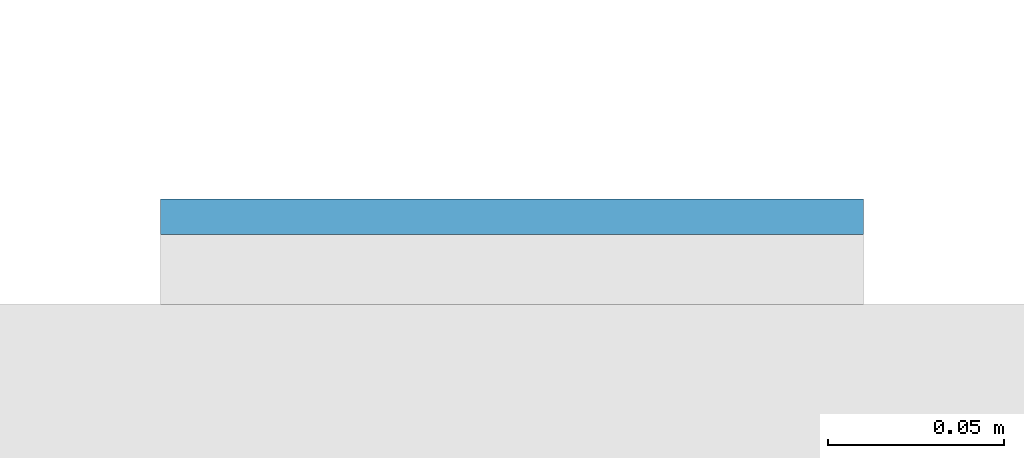
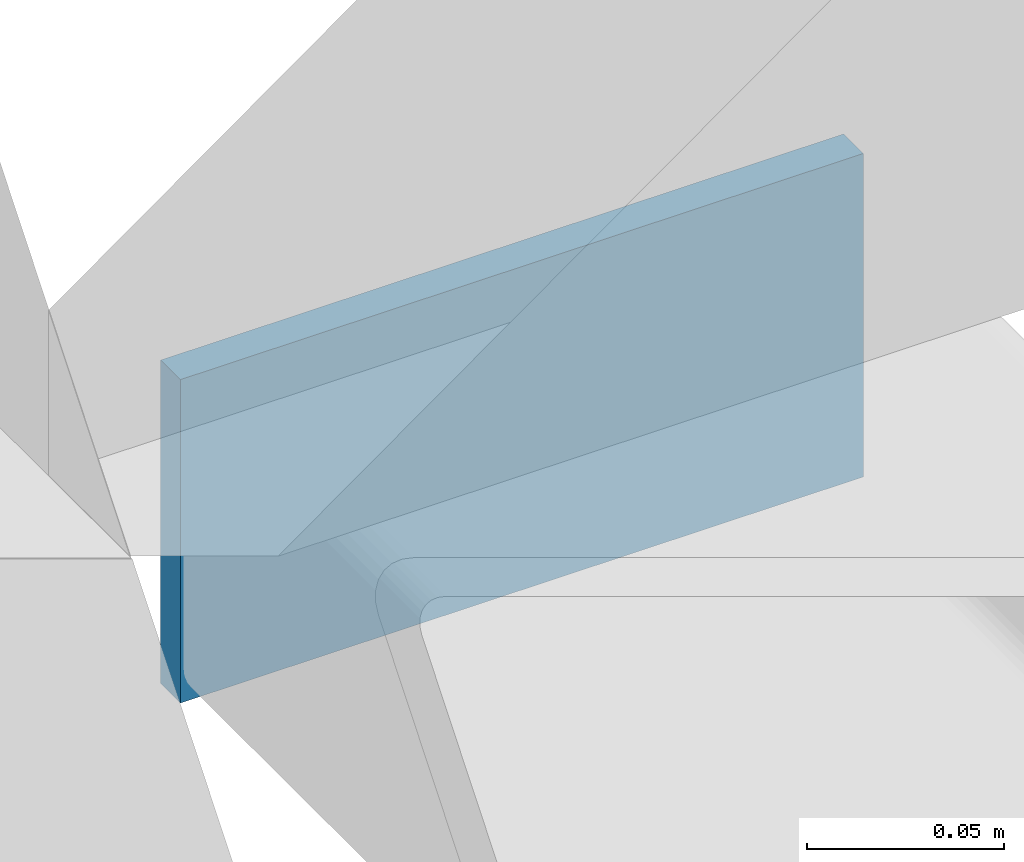
# One storey, part 6 of 10: 1 plate.
"""IFC4 building model written with IfcOpenShell, lengths in metres."""

from ifc_helpers import new_model, si_unit, direction, frame, origin, origin_2d, place, context, subcontext, project, spatial, rectangle, extrude, material, layer, layer_set, type_object, element, save


model = new_model("IFC4")

# Units and contexts
model_context = context("Model", 3, precision=1e-05, world=origin(), true_north=direction((0.0, 1.0)))
body_context = subcontext(model_context, "Body", "Model", "MODEL_VIEW")
ifc_project = project(units=[si_unit("LENGTHUNIT", "METRE"), si_unit("AREAUNIT", "SQUARE_METRE"), si_unit("VOLUMEUNIT", "CUBIC_METRE"), si_unit("PLANEANGLEUNIT", "RADIAN"), si_unit("MASSUNIT", "GRAM", prefix="KILO")], contexts=[model_context])

# Site, building, storey
site_placement = place(None, origin())
site = spatial("IfcSite", under=ifc_project, at=site_placement, CompositionType="ELEMENT")
building_placement = place(site_placement, origin())
building = spatial("IfcBuilding", under=site, at=building_placement, Name="Cleftline Residences", CompositionType="ELEMENT")
storey_placement = place(building_placement, frame((0.0, 0.0, 277.199951171875)))
storey = spatial("IfcBuildingStorey", under=building, at=storey_placement, Name="L73", CompositionType="ELEMENT", Elevation=277.199951171875)

# Plate
ifc_material = material(Name="Steel S355, hot-dip galvanised", Category="steel")
ifc_layer = layer(ifc_material, 0.010009765625)
ifc_layer_set = layer_set([ifc_layer], Name="BAGUETTE CARRIER END PLATE 200X100X10")
plate_type = type_object("IfcPlateType", Name="BAGUETTE CARRIER END PLATE 200X100X10", PredefinedType="USERDEFINED", material=ifc_layer_set)
plate_placement = place(storey_placement, frame((66.85009765625, 44.304931640625, -0.10009765625), z_axis=(0.0, 0.0, 1.0), x_axis=(1.0, 0.0, 0.0)))
element("IfcPlate", 1, at=plate_placement, inside=storey, type_object=plate_type, Name="Baguette carrier end plate", ObjectType="BAGUETTE CARRIER END PLATE", PredefinedType="USERDEFINED", context=body_context, shape_type="SweptSolid", body=[
    extrude(rectangle(XDim=0.199951171875, YDim=0.010009765625, at=origin_2d()), origin(), (0.0, 0.0, 1.0), 0.10009765625),
])

save(model, "model.ifc")
